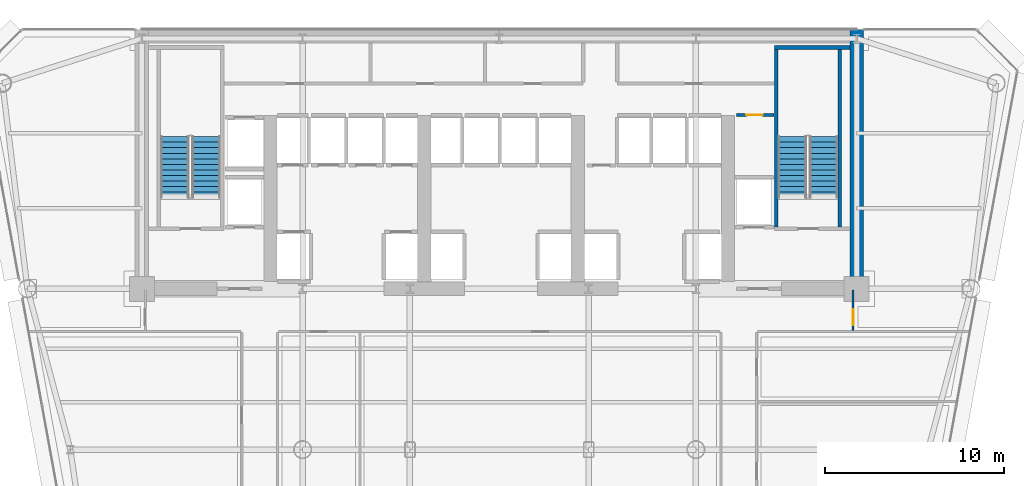
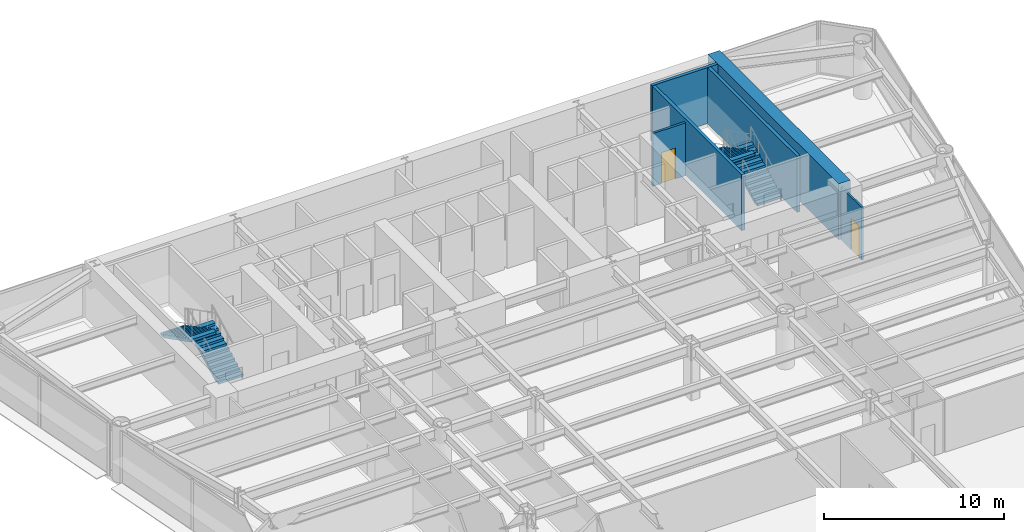
# One storey, part 10 of 14: 6 walls, 4 stair flights, 2 doors, 2 openings, 2 elements without a shape of their own.
"""IFC4 building model written with IfcOpenShell, lengths in metres."""

from ifc_helpers import new_model, si_unit, direction, frame, frame_2d, origin, place, context, subcontext, project, spatial, polyline, rectangle, outline, extrude, source, transform, mapped, material, layer, layer_set, type_object, element, fill, aggregate, save


model = new_model("IFC4")

# Units and contexts
model_context = context("Model", 3, precision=1e-05, world=origin(), true_north=direction((0.0, 1.0)))
body_context = subcontext(model_context, "Body", "Model", "MODEL_VIEW")
ifc_project = project(units=[si_unit("LENGTHUNIT", "METRE"), si_unit("AREAUNIT", "SQUARE_METRE"), si_unit("VOLUMEUNIT", "CUBIC_METRE"), si_unit("PLANEANGLEUNIT", "RADIAN"), si_unit("MASSUNIT", "GRAM", prefix="KILO")], contexts=[model_context])

# Site, building, storey
site_placement = place(None, origin())
site = spatial("IfcSite", under=ifc_project, at=site_placement, CompositionType="ELEMENT")
building_placement = place(site_placement, origin())
building = spatial("IfcBuilding", under=site, at=building_placement, Name="Vaeldorn Concourse Tower", CompositionType="ELEMENT")
storey_placement = place(building_placement, frame((0.0, 0.0, 88.199951171875)))
storey = spatial("IfcBuildingStorey", under=building, at=storey_placement, Name="L22", CompositionType="ELEMENT", Elevation=88.199951171875)

# Wall
ifc_material_1 = material(Name="Concrete C60/75", Category="concrete")
ifc_layer_1 = layer(ifc_material_1, 0.75)
ifc_layer_set_1 = layer_set([ifc_layer_1], Name="Concrete C60/75")
wall_type_1 = type_object("IfcWallType", Name="WL-CORE-750", PredefinedType="SHEAR", material=ifc_layer_set_1)
wall_1_placement = place(storey_placement, frame((54.0, 36.5, 0.0), z_axis=(0.0, 0.0, 1.0), x_axis=(0.0, 1.0, 0.0)))
element("IfcWall", 1, at=wall_1_placement, inside=storey, type_object=wall_type_1, Name="Rear Core Shear Wall L22 E1", PredefinedType="SHEAR", context=body_context, shape_type="SweptSolid", body=[
    extrude(rectangle(XDim=14.5, YDim=0.75, at=frame_2d((7.25, 0.0))), origin(), (0.0, 0.0, 1.0), 3.800048828125),
])

# Wall, opening, door
ifc_material_2 = material(Name="Gypsum Board Partition", Category="gypsum")
ifc_layer_2 = layer(ifc_material_2, 0.1201171875)
ifc_layer_set_2 = layer_set([ifc_layer_2], Name="Gypsum Board Partition")
wall_type_2 = type_object("IfcWallType", Name="WL-PART-120", PredefinedType="PARTITIONING", material=ifc_layer_set_2)
wall_2_placement = place(storey_placement, frame((53.800048828125, 34.159912109375, 0.0), z_axis=(0.0, 0.0, 1.0), x_axis=(0.0, 1.0, 0.0)))
wall_2 = element("IfcWall", 2, at=wall_2_placement, inside=storey, type_object=wall_type_2, Name="Interior Wall PW-L22-CEET", PredefinedType="PARTITIONING", context=body_context, shape_type="SweptSolid", body=[
    extrude(rectangle(XDim=2.280029296875, YDim=0.1201171875, at=frame_2d((1.14013671875, 0.0))), origin(), (0.0, 0.0, 1.0), 3.580078125),
])
opening_1_placement = place(wall_2_placement, frame((0.300048828125, 0.0, 0.0)))
opening_1 = element("IfcOpeningElement", 3, at=opening_1_placement, cuts=wall_2, Name="Opening D-03", PredefinedType="OPENING", context=body_context, shape_type="SweptSolid", body=[
    extrude(rectangle(XDim=0.89990234375, YDim=2.14990234375, at=frame_2d((0.449951171875, 1.074951171875))), frame((0.0, 0.070068359375, 0.0), z_axis=(0.0, -1.0, 0.0), x_axis=(1.0, 0.0, 0.0)), (0.0, 0.0, 1.0), 0.14013671875),
])
ifc_material_3 = material(Name="Acoustic Bronze-Framed Glass Door", Category="glass")
door_type_1 = type_object("IfcDoorType", Name="DR-INT-900", OperationType="NOTDEFINED", PredefinedType="DOOR", material=ifc_material_3)
shared_shape_1 = source(origin(), body_context, "Body", "SweptSolid", [
    extrude(rectangle(XDim=0.89990234375, YDim=2.14990234375, at=frame_2d((0.449951171875, 1.074951171875))), frame((0.0, 0.02490234375, 0.0), z_axis=(0.0, -1.0, 0.0), x_axis=(1.0, 0.0, 0.0)), (0.0, 0.0, 1.0), 0.050048828125),
])
door_1_placement = place(opening_1_placement, origin())
door_1 = element("IfcDoor", 4, at=door_1_placement, inside=storey, type_object=door_type_1, Name="Interior Door DR-L22-NE1", OperationType="SINGLE_SWING_RIGHT", OverallHeight=2.14990234375, OverallWidth=0.89990234375, PredefinedType="DOOR", context=body_context, shape_type="MappedRepresentation", body=[
    mapped(shared_shape_1, transform((0.0, 0.0, 0.0), scale=1.0)),
])
fill(opening_1, door_1)

ifc_layer_3 = layer(ifc_material_2, 0.14990234375)
ifc_layer_set_3 = layer_set([ifc_layer_3], Name="Gypsum Board Partition")
wall_type_3 = type_object("IfcWallType", Name="WL-PART-150", PredefinedType="PARTITIONING", material=ifc_layer_set_3)
wall_3_placement = place(storey_placement, frame((47.280029296875, 46.219970703125, 0.0), z_axis=(0.0, 0.0, 1.0), x_axis=(1.0, 0.0, 0.0)))
wall_3 = element("IfcWall", 5, at=wall_3_placement, inside=storey, type_object=wall_type_3, Name="Interior Wall CW-L22-CRSE-N", PredefinedType="PARTITIONING", context=body_context, shape_type="SweptSolid", body=[
    extrude(rectangle(XDim=2.099853515625, YDim=0.14990234375, at=frame_2d((1.0498046875, 0.0))), origin(), (0.0, 0.0, 1.0), 3.580078125),
])
opening_2_placement = place(wall_3_placement, frame((0.550048828125, 0.0, 0.0)))
opening_2 = element("IfcOpeningElement", 6, at=opening_2_placement, cuts=wall_3, Name="Opening D-02", PredefinedType="OPENING", context=body_context, shape_type="SweptSolid", body=[
    extrude(rectangle(XDim=0.89990234375, YDim=2.10009765625, at=frame_2d((0.449951171875, 1.050048828125))), frame((0.0, 0.0849609375, 0.0), z_axis=(0.0, -1.0, 0.0), x_axis=(1.0, 0.0, 0.0)), (0.0, 0.0, 1.0), 0.169921875),
])
ifc_material_4 = material(Name="Fire-Rated Timber Leaf", Category="wood")
door_type_2 = type_object("IfcDoorType", Name="DR-FD30-900", OperationType="NOTDEFINED", PredefinedType="DOOR", material=ifc_material_4)
shared_shape_2 = source(origin(), body_context, "Body", "SweptSolid", [
    extrude(rectangle(XDim=0.89990234375, YDim=2.10009765625, at=frame_2d((0.449951171875, 1.050048828125))), frame((0.0, 0.02490234375, 0.0), z_axis=(0.0, -1.0, 0.0), x_axis=(1.0, 0.0, 0.0)), (0.0, 0.0, 1.0), 0.050048828125),
])
door_2_placement = place(opening_2_placement, origin())
door_2 = element("IfcDoor", 7, at=door_2_placement, inside=storey, type_object=door_type_2, Name="Interior Door DR-L22-CRSE", OperationType="SINGLE_SWING_RIGHT", OverallHeight=2.10009765625, OverallWidth=0.89990234375, PredefinedType="DOOR", context=body_context, shape_type="MappedRepresentation", body=[
    mapped(shared_shape_2, transform((0.0, 0.0, 0.0), scale=1.0)),
])
fill(opening_2, door_2)

# Walls
ifc_material_5 = material(Name="Concrete C50/60", Category="concrete")
ifc_layer_4 = layer(ifc_material_5, 0.199951171875)
ifc_layer_set_4 = layer_set([ifc_layer_4], Name="Concrete C50/60")
wall_type_4 = type_object("IfcWallType", Name="WL-SHAFT-200", PredefinedType="SOLIDWALL", material=ifc_layer_set_4)
wall_4_placement = place(storey_placement, frame((49.39990234375, 50.0, 0.0), z_axis=(0.0, 0.0, 1.0), x_axis=(1.0, 0.0, 0.0)))
element("IfcWall", 8, at=wall_4_placement, inside=storey, type_object=wall_type_4, Name="Stair Shaft Wall CW-L22-ST-2-N", PredefinedType="SOLIDWALL", context=body_context, shape_type="SweptSolid", body=[
    extrude(rectangle(XDim=4.22509765625, YDim=0.199951171875, at=frame_2d((2.112548828125, 0.0))), origin(), (0.0, 0.0, 1.0), 3.800048828125),
])
for number, where, z_axis, x_axis, name in (
    (9, (49.5, 39.9599609375, 0.0), (0.0, 0.0, 1.0), (0.0, 1.0, 0.0), "Stair Shaft Wall CW-L22-ST-2-W"),
    (10, (53.050048828125, 39.9599609375, 0.0), (0.0, 0.0, 1.0), (0.0, 1.0, 0.0), "Stair Shaft Wall CW-L22-ST-2-E"),
):
    element("IfcWall", number, at=place(storey_placement, frame(where, z_axis=z_axis, x_axis=x_axis)), inside=storey, type_object=wall_type_4, Name=name, PredefinedType="SOLIDWALL", context=body_context, shape_type="SweptSolid", body=[
        extrude(rectangle(XDim=9.929931640625, YDim=0.199951171875, at=frame_2d((4.96484375, 0.0))), origin(), (0.0, 0.0, 1.0), 3.800048828125),
    ])

# Stair, stair flights
ifc_material_6 = material(Name="Precast concrete C40/50", Category="concrete")
stair_type = type_object("IfcStairType", Name="STR-DOG-24x158", PredefinedType="HALF_TURN_STAIR", material=ifc_material_6)
stair_1_placement = place(storey_placement, origin())
stair_1 = element("IfcStair", 11, at=stair_1_placement, inside=storey, type_object=stair_type, Name="L22 West Core Exit Stair ST-1", PredefinedType="HALF_TURN_STAIR")
stair_flight_type = type_object("IfcStairFlightType", Name="STF-STR-12x158", PredefinedType="STRAIGHT", material=ifc_material_6)
stair_flight_1_placement = place(storey_placement, frame((17.60009765625, 41.60009765625, 0.0), z_axis=(0.0, 0.0, 1.0), x_axis=(0.0, 1.0, 0.0)))
stair_flight_1 = element("IfcStairFlight", 12, at=stair_flight_1_placement, type_object=stair_flight_type, Name="ST-1 flight 1", NumberOfRisers=12, NumberOfTreads=11, PredefinedType="STRAIGHT", RiserHeight=0.158333333, TreadLength=0.31, context=body_context, shape_type="SweptSolid", body=[
    extrude(outline(polyline([(0.0, 0.0), (0.0, 0.158447265625), (0.31005859375, 0.158447265625), (0.31005859375, 0.316650390625), (0.6201171875, 0.316650390625), (0.6201171875, 0.47509765625), (0.929931640625, 0.47509765625), (0.929931640625, 0.63330078125), (1.239990234375, 0.63330078125), (1.239990234375, 0.791748046875), (1.550048828125, 0.791748046875), (1.550048828125, 0.949951171875), (1.860107421875, 0.949951171875), (1.860107421875, 1.1083984375), (2.169921875, 1.1083984375), (2.169921875, 1.2666015625), (2.47998046875, 1.2666015625), (2.47998046875, 1.425048828125), (2.7900390625, 1.425048828125), (2.7900390625, 1.583251953125), (3.10009765625, 1.583251953125), (3.10009765625, 1.74169921875), (3.409912109375, 1.74169921875), (3.409912109375, 1.89990234375), (3.409912109375, 1.5732421875), (0.32958984375, 0.0), (0.0, 0.0)])), frame((0.0, 0.800048828125, 0.0), z_axis=(0.0, -1.0, 0.0), x_axis=(1.0, 0.0, 0.0)), (0.0, 0.0, 1.0), 1.60009765625),
])
stair_flight_2_placement = place(storey_placement, frame((15.85009765625, 45.010009765625, 1.900146484375), z_axis=(0.0, 0.0, 1.0), x_axis=(0.0, -1.0, 0.0)))
stair_flight_2 = element("IfcStairFlight", 13, at=stair_flight_2_placement, type_object=stair_flight_type, Name="ST-1 flight 2", NumberOfRisers=12, NumberOfTreads=11, PredefinedType="STRAIGHT", RiserHeight=0.158333333, TreadLength=0.31, context=body_context, shape_type="SweptSolid", body=[
    extrude(outline(polyline([(0.0, 0.0), (0.0, 0.158447265625), (0.31005859375, 0.158447265625), (0.31005859375, 0.316650390625), (0.6201171875, 0.316650390625), (0.6201171875, 0.47509765625), (0.929931640625, 0.47509765625), (0.929931640625, 0.63330078125), (1.239990234375, 0.63330078125), (1.239990234375, 0.791748046875), (1.550048828125, 0.791748046875), (1.550048828125, 0.949951171875), (1.860107421875, 0.949951171875), (1.860107421875, 1.1083984375), (2.169921875, 1.1083984375), (2.169921875, 1.2666015625), (2.47998046875, 1.2666015625), (2.47998046875, 1.425048828125), (2.7900390625, 1.425048828125), (2.7900390625, 1.583251953125), (3.10009765625, 1.583251953125), (3.10009765625, 1.74169921875), (3.409912109375, 1.74169921875), (3.409912109375, 1.89990234375), (3.409912109375, 1.5732421875), (0.32958984375, 0.0), (0.0, 0.0)])), frame((0.0, 0.800048828125, 0.0), z_axis=(0.0, -1.0, 0.0), x_axis=(1.0, 0.0, 0.0)), (0.0, 0.0, 1.0), 1.60009765625),
])
aggregate(stair_1, [stair_flight_1, stair_flight_2])

stair_2_placement = place(storey_placement, origin())
stair_2 = element("IfcStair", 14, at=stair_2_placement, inside=storey, type_object=stair_type, Name="L22 East Core Exit Stair ST-2", PredefinedType="HALF_TURN_STAIR")
stair_flight_3_placement = place(storey_placement, frame((52.14990234375, 41.60009765625, 0.0), z_axis=(0.0, 0.0, 1.0), x_axis=(0.0, 1.0, 0.0)))
stair_flight_3 = element("IfcStairFlight", 15, at=stair_flight_3_placement, type_object=stair_flight_type, Name="ST-2 flight 1", NumberOfRisers=12, NumberOfTreads=11, PredefinedType="STRAIGHT", RiserHeight=0.158333333, TreadLength=0.31, context=body_context, shape_type="SweptSolid", body=[
    extrude(outline(polyline([(0.0, 0.0), (0.0, 0.158447265625), (0.31005859375, 0.158447265625), (0.31005859375, 0.316650390625), (0.6201171875, 0.316650390625), (0.6201171875, 0.47509765625), (0.929931640625, 0.47509765625), (0.929931640625, 0.63330078125), (1.239990234375, 0.63330078125), (1.239990234375, 0.791748046875), (1.550048828125, 0.791748046875), (1.550048828125, 0.949951171875), (1.860107421875, 0.949951171875), (1.860107421875, 1.1083984375), (2.169921875, 1.1083984375), (2.169921875, 1.2666015625), (2.47998046875, 1.2666015625), (2.47998046875, 1.425048828125), (2.7900390625, 1.425048828125), (2.7900390625, 1.583251953125), (3.10009765625, 1.583251953125), (3.10009765625, 1.74169921875), (3.409912109375, 1.74169921875), (3.409912109375, 1.89990234375), (3.409912109375, 1.5732421875), (0.32958984375, 0.0), (0.0, 0.0)])), frame((0.0, 0.800048828125, 0.0), z_axis=(0.0, -1.0, 0.0), x_axis=(1.0, 0.0, 0.0)), (0.0, 0.0, 1.0), 1.60009765625),
])
stair_flight_4_placement = place(storey_placement, frame((50.39990234375, 45.010009765625, 1.900146484375), z_axis=(0.0, 0.0, 1.0), x_axis=(0.0, -1.0, 0.0)))
stair_flight_4 = element("IfcStairFlight", 16, at=stair_flight_4_placement, type_object=stair_flight_type, Name="ST-2 flight 2", NumberOfRisers=12, NumberOfTreads=11, PredefinedType="STRAIGHT", RiserHeight=0.158333333, TreadLength=0.31, context=body_context, shape_type="SweptSolid", body=[
    extrude(outline(polyline([(0.0, 0.0), (0.0, 0.158447265625), (0.31005859375, 0.158447265625), (0.31005859375, 0.316650390625), (0.6201171875, 0.316650390625), (0.6201171875, 0.47509765625), (0.929931640625, 0.47509765625), (0.929931640625, 0.63330078125), (1.239990234375, 0.63330078125), (1.239990234375, 0.791748046875), (1.550048828125, 0.791748046875), (1.550048828125, 0.949951171875), (1.860107421875, 0.949951171875), (1.860107421875, 1.1083984375), (2.169921875, 1.1083984375), (2.169921875, 1.2666015625), (2.47998046875, 1.2666015625), (2.47998046875, 1.425048828125), (2.7900390625, 1.425048828125), (2.7900390625, 1.583251953125), (3.10009765625, 1.583251953125), (3.10009765625, 1.74169921875), (3.409912109375, 1.74169921875), (3.409912109375, 1.89990234375), (3.409912109375, 1.5732421875), (0.32958984375, 0.0), (0.0, 0.0)])), frame((0.0, 0.800048828125, 0.0), z_axis=(0.0, -1.0, 0.0), x_axis=(1.0, 0.0, 0.0)), (0.0, 0.0, 1.0), 1.60009765625),
])
aggregate(stair_2, [stair_flight_3, stair_flight_4])

save(model, "model.ifc")
